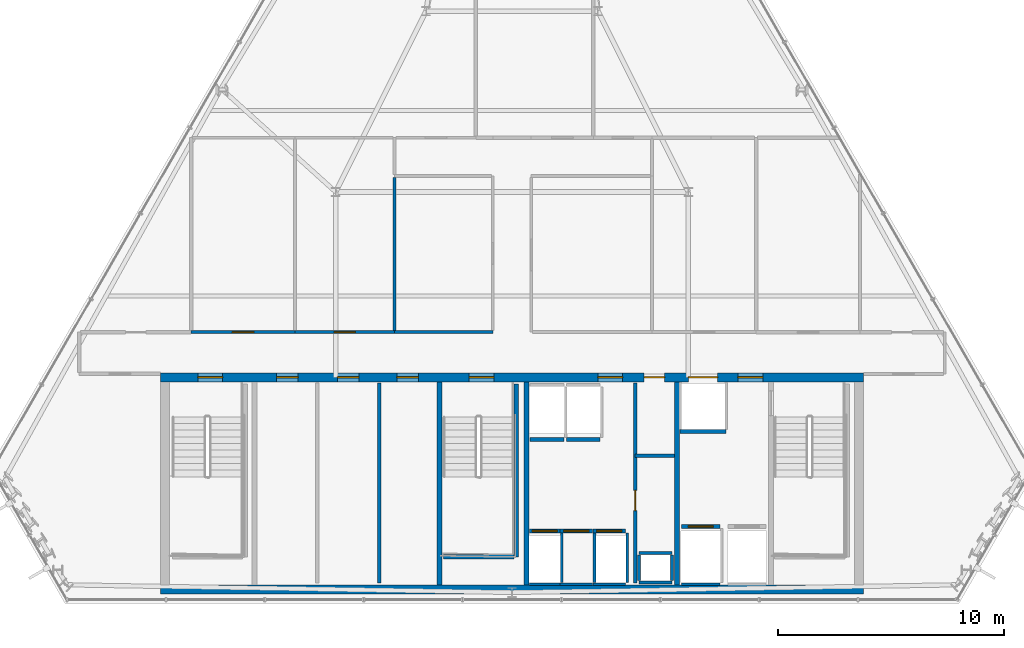
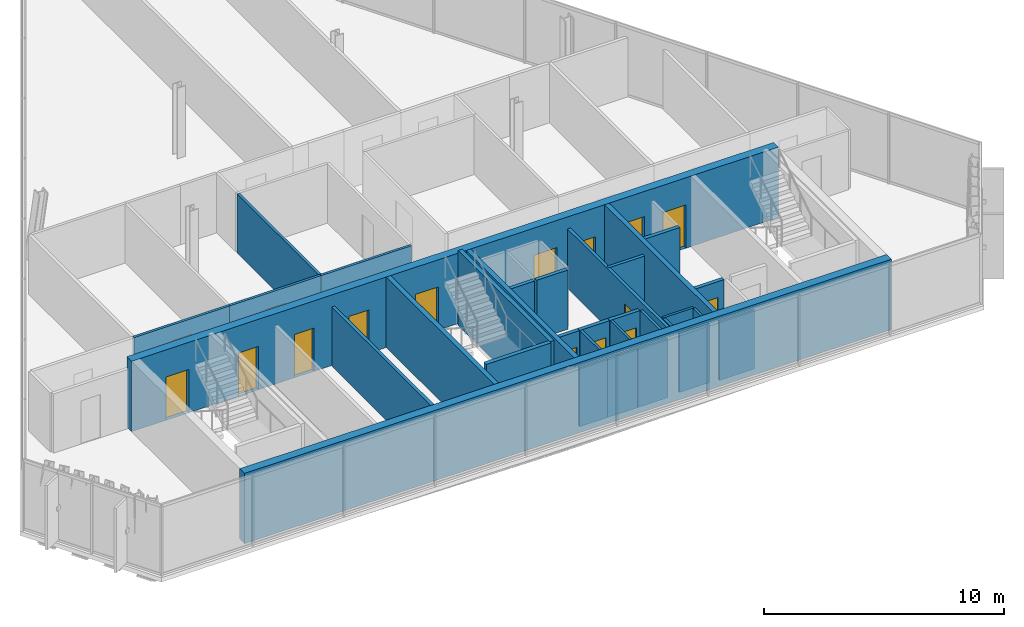
# One storey, part 24 of 29: 32 walls, 16 doors, 16 openings.
"""IFC4 building model written with IfcOpenShell, lengths in metres."""

from ifc_helpers import new_model, si_unit, direction, frame, frame_2d, origin, place, context, subcontext, project, spatial, rectangle, extrude, material, layer, layer_set, type_object, element, fill, save


model = new_model("IFC4")

# Units and contexts
model_context = context("Model", 3, precision=1e-05, world=origin(), true_north=direction((0.0, 1.0)))
body_context = subcontext(model_context, "Body", "Model", "MODEL_VIEW")
ifc_project = project(units=[si_unit("LENGTHUNIT", "METRE"), si_unit("AREAUNIT", "SQUARE_METRE"), si_unit("VOLUMEUNIT", "CUBIC_METRE"), si_unit("PLANEANGLEUNIT", "RADIAN"), si_unit("MASSUNIT", "GRAM", prefix="KILO")], contexts=[model_context])

# Site, building, storey
site_placement = place(None, origin())
site = spatial("IfcSite", under=ifc_project, at=site_placement, CompositionType="ELEMENT")
building_placement = place(site_placement, origin())
building = spatial("IfcBuilding", under=site, at=building_placement, Name="Ndaravel Arena Tower", CompositionType="ELEMENT")
storey_placement = place(building_placement, frame((0.0, 0.0, 248.39990234375)))
storey = spatial("IfcBuildingStorey", under=building, at=storey_placement, Name="L60", CompositionType="ELEMENT", Elevation=248.39990234375)

# Wall, opening, door
ifc_material_1 = material(Name="Gypsum", Category="gypsum")
ifc_layer_1 = layer(ifc_material_1, 0.14990234375)
ifc_layer_set_1 = layer_set([ifc_layer_1], Name="Gypsum")
wall_type_1 = type_object("IfcWallType", Name="WALL-COMP-150", PredefinedType="PARTITIONING", material=ifc_layer_set_1)
wall_1_placement = place(storey_placement, frame((47.449951171875, 5.89990234375, 0.0), z_axis=(0.0, 0.0, 1.0), x_axis=(0.0, 1.0, 0.0)))
wall_1 = element("IfcWall", 1, at=wall_1_placement, inside=storey, type_object=wall_type_1, Name="L60 Core Riser Bay Partition", PredefinedType="PARTITIONING", context=body_context, shape_type="SweptSolid", body=[
    extrude(rectangle(XDim=8.85009765625, YDim=0.14990234375, at=frame_2d((4.425048828125, 0.0))), origin(), (0.0, 0.0, 1.0), 3.010498046875),
])
opening_1_placement = place(wall_1_placement, frame((3.199951171875, 0.0, 0.0)))
opening_1 = element("IfcOpeningElement", 2, at=opening_1_placement, cuts=wall_1, Name="Opening RD-01", PredefinedType="OPENING", context=body_context, shape_type="SweptSolid", body=[
    extrude(rectangle(XDim=0.89990234375, YDim=2.10009765625, at=frame_2d((0.449951171875, 1.050048828125))), frame((0.0, 0.074951171875, 0.0), z_axis=(0.0, -1.0, 0.0), x_axis=(1.0, 0.0, 0.0)), (0.0, 0.0, 1.0), 0.14990234375),
])
ifc_material_2 = material(Name="Steel S355", Category="steel")
door_type_1 = type_object("IfcDoorType", Name="DT-08-RISER-900", OperationType="SINGLE_SWING_LEFT", PredefinedType="DOOR", material=ifc_material_2)
door_1_placement = place(opening_1_placement, origin())
door_1 = element("IfcDoor", 3, at=door_1_placement, inside=storey, type_object=door_type_1, Name="L60 Sub-Metering Closet Door", OperationType="SINGLE_SWING_LEFT", OverallHeight=2.10009765625, OverallWidth=0.89990234375, PredefinedType="DOOR", context=body_context, shape_type="SweptSolid", body=[
    extrude(rectangle(XDim=0.89990234375, YDim=2.10009765625, at=frame_2d((0.449951171875, 1.050048828125))), frame((0.0, 0.02490234375, 0.0), z_axis=(0.0, -1.0, 0.0), x_axis=(1.0, 0.0, 0.0)), (0.0, 0.0, 1.0), 0.050048828125),
])
fill(opening_1, door_1)

# Walls
wall_2_placement = place(storey_placement, frame((47.449951171875, 11.52001953125, 0.0), z_axis=(0.0, 0.0, 1.0), x_axis=(1.0, 0.0, 0.0)))
element("IfcWall", 4, at=wall_2_placement, inside=storey, type_object=wall_type_1, Name="L60 Core Riser Divider 1", PredefinedType="PARTITIONING", context=body_context, shape_type="SweptSolid", body=[
    extrude(rectangle(XDim=1.72998046875, YDim=0.14990234375, at=frame_2d((0.864990234375, 0.0))), origin(), (0.0, 0.0, 1.0), 3.010498046875),
])
wall_3_placement = place(storey_placement, frame((36.1201171875, 5.89990234375, 0.0), z_axis=(0.0, 0.0, 1.0), x_axis=(0.0, 1.0, 0.0)))
element("IfcWall", 5, at=wall_3_placement, inside=storey, type_object=wall_type_1, Name="L60 High-Zone Core Divider 2", PredefinedType="PARTITIONING", context=body_context, shape_type="SweptSolid", body=[
    extrude(rectangle(XDim=8.85009765625, YDim=0.14990234375, at=frame_2d((4.425048828125, 0.0))), origin(), (0.0, 0.0, 1.0), 3.010498046875),
])
ifc_material_3 = material(Name="Concrete C50/60", Category="concrete")
ifc_layer_2 = layer(ifc_material_3, 0.219970703125)
ifc_layer_set_2 = layer_set([ifc_layer_2], Name="Concrete C50/60")
wall_type_2 = type_object("IfcWallType", Name="WALL-CORE-220", PredefinedType="SOLIDWALL", material=ifc_layer_set_2)
for number, where, z_axis, x_axis, name in (
    (6, (38.800048828125, 5.800048828125, 0.0), (0.0, 0.0, 1.0), (0.0, 1.0, 0.0), "L60 Core Web Shear Wall 2"),
    (7, (42.64990234375, 5.800048828125, 0.0), (0.0, 0.0, 1.0), (0.0, 1.0, 0.0), "L60 Core Web Shear Wall 3"),
    (8, (49.300048828125, 5.800048828125, 0.0), (0.0, 0.0, 1.0), (0.0, 1.0, 0.0), "L60 Core Web Shear Wall 4"),
):
    element("IfcWall", number, at=place(storey_placement, frame(where, z_axis=z_axis, x_axis=x_axis)), inside=storey, type_object=wall_type_2, Name=name, PredefinedType="SOLIDWALL", context=body_context, shape_type="SweptSolid", body=[
        extrude(rectangle(XDim=9.0, YDim=0.219970703125, at=frame_2d((4.5, 0.0))), origin(), (0.0, 0.0, 1.0), 3.580078125),
    ])

# Wall, openings, doors
ifc_material_4 = material(Name="Concrete C50/60", Category="concrete")
ifc_layer_3 = layer(ifc_material_4, 0.39990234375)
ifc_layer_set_3 = layer_set([ifc_layer_3], Name="Concrete C50/60")
wall_type_3 = type_object("IfcWallType", Name="WALL-CORE-400", PredefinedType="SOLIDWALL", material=ifc_layer_set_3)
wall_4_placement = place(storey_placement, frame((26.449951171875, 15.0, 0.0), z_axis=(0.0, 0.0, 1.0), x_axis=(1.0, 0.0, 0.0)))
wall_4 = element("IfcWall", 9, at=wall_4_placement, inside=storey, type_object=wall_type_3, Name="L60 Core North Shear Wall", PredefinedType="SOLIDWALL", context=body_context, shape_type="SweptSolid", body=[
    extrude(rectangle(XDim=31.10009765625, YDim=0.39990234375, at=frame_2d((15.550048828125, 0.0))), origin(), (0.0, 0.0, 1.0), 3.580078125),
])
opening_2_placement = place(wall_4_placement, frame((1.64990234375, 0.0, 0.0)))
opening_2 = element("IfcOpeningElement", 10, at=opening_2_placement, cuts=wall_4, Name="Opening FD-01", PredefinedType="OPENING", context=body_context, shape_type="SweptSolid", body=[
    extrude(rectangle(XDim=1.10009765625, YDim=2.199951171875, at=frame_2d((0.550048828125, 1.10009765625))), frame((0.0, 0.199951171875, 0.0), z_axis=(0.0, -1.0, 0.0), x_axis=(1.0, 0.0, 0.0)), (0.0, 0.0, 1.0), 0.39990234375),
])
opening_3_placement = place(wall_4_placement, frame((13.64990234375, 0.0, 0.0)))
opening_3 = element("IfcOpeningElement", 11, at=opening_3_placement, cuts=wall_4, Name="Opening FD-01", PredefinedType="OPENING", context=body_context, shape_type="SweptSolid", body=[
    extrude(rectangle(XDim=1.10009765625, YDim=2.199951171875, at=frame_2d((0.550048828125, 1.10009765625))), frame((0.0, 0.199951171875, 0.0), z_axis=(0.0, -1.0, 0.0), x_axis=(1.0, 0.0, 0.0)), (0.0, 0.0, 1.0), 0.39990234375),
])
opening_4_placement = place(wall_4_placement, frame((25.550048828125, 0.0, 0.0)))
opening_4 = element("IfcOpeningElement", 12, at=opening_4_placement, cuts=wall_4, Name="Opening FD-01", PredefinedType="OPENING", context=body_context, shape_type="SweptSolid", body=[
    extrude(rectangle(XDim=1.10009765625, YDim=2.199951171875, at=frame_2d((0.550048828125, 1.10009765625))), frame((0.0, 0.199951171875, 0.0), z_axis=(0.0, -1.0, 0.0), x_axis=(1.0, 0.0, 0.0)), (0.0, 0.0, 1.0), 0.39990234375),
])
opening_5_placement = place(wall_4_placement, frame((19.35009765625, 0.0, 0.0)))
opening_5 = element("IfcOpeningElement", 13, at=opening_5_placement, cuts=wall_4, Name="Opening FD-01", PredefinedType="OPENING", context=body_context, shape_type="SweptSolid", body=[
    extrude(rectangle(XDim=1.10009765625, YDim=2.199951171875, at=frame_2d((0.550048828125, 1.10009765625))), frame((0.0, 0.199951171875, 0.0), z_axis=(0.0, -1.0, 0.0), x_axis=(1.0, 0.0, 0.0)), (0.0, 0.0, 1.0), 0.39990234375),
])
opening_6_placement = place(wall_4_placement, frame((21.39990234375, 0.0, 0.0)))
opening_6 = element("IfcOpeningElement", 14, at=opening_6_placement, cuts=wall_4, Name="Opening RD-01", PredefinedType="OPENING", context=body_context, shape_type="SweptSolid", body=[
    extrude(rectangle(XDim=0.89990234375, YDim=2.10009765625, at=frame_2d((0.449951171875, 1.050048828125))), frame((0.0, 0.199951171875, 0.0), z_axis=(0.0, -1.0, 0.0), x_axis=(1.0, 0.0, 0.0)), (0.0, 0.0, 1.0), 0.39990234375),
])
opening_7_placement = place(wall_4_placement, frame((5.139892578125, 0.0, 0.0)))
opening_7 = element("IfcOpeningElement", 15, at=opening_7_placement, cuts=wall_4, Name="Opening FD-03", PredefinedType="OPENING", context=body_context, shape_type="SweptSolid", body=[
    extrude(rectangle(XDim=0.949951171875, YDim=2.199951171875, at=frame_2d((0.47509765625, 1.10009765625))), frame((0.0, 0.199951171875, 0.0), z_axis=(0.0, -1.0, 0.0), x_axis=(1.0, 0.0, 0.0)), (0.0, 0.0, 1.0), 0.39990234375),
])
opening_8_placement = place(wall_4_placement, frame((7.824951171875, 0.0, 0.0)))
opening_8 = element("IfcOpeningElement", 16, at=opening_8_placement, cuts=wall_4, Name="Opening FD-03", PredefinedType="OPENING", context=body_context, shape_type="SweptSolid", body=[
    extrude(rectangle(XDim=0.949951171875, YDim=2.199951171875, at=frame_2d((0.47509765625, 1.10009765625))), frame((0.0, 0.199951171875, 0.0), z_axis=(0.0, -1.0, 0.0), x_axis=(1.0, 0.0, 0.0)), (0.0, 0.0, 1.0), 0.39990234375),
])
opening_9_placement = place(wall_4_placement, frame((10.4599609375, 0.0, 0.0)))
opening_9 = element("IfcOpeningElement", 17, at=opening_9_placement, cuts=wall_4, Name="Opening FD-03", PredefinedType="OPENING", context=body_context, shape_type="SweptSolid", body=[
    extrude(rectangle(XDim=0.949951171875, YDim=2.199951171875, at=frame_2d((0.47509765625, 1.10009765625))), frame((0.0, 0.199951171875, 0.0), z_axis=(0.0, -1.0, 0.0), x_axis=(1.0, 0.0, 0.0)), (0.0, 0.0, 1.0), 0.39990234375),
])
opening_10_placement = place(wall_4_placement, frame((23.35009765625, 0.0, 0.0)))
opening_10 = element("IfcOpeningElement", 18, at=opening_10_placement, cuts=wall_4, Name="Opening LD-02", PredefinedType="OPENING", context=body_context, shape_type="SweptSolid", body=[
    extrude(rectangle(XDim=1.300048828125, YDim=2.300048828125, at=frame_2d((0.64990234375, 1.14990234375))), frame((0.0, 0.199951171875, 0.0), z_axis=(0.0, -1.0, 0.0), x_axis=(1.0, 0.0, 0.0)), (0.0, 0.0, 1.0), 0.39990234375),
])
ifc_material_5 = material(Name="Steel S355", Category="steel")
door_type_2 = type_object("IfcDoorType", Name="DT-01-STAIR-1100", OperationType="SINGLE_SWING_LEFT", PredefinedType="DOOR", material=ifc_material_5)
door_2_placement = place(opening_2_placement, origin())
door_2 = element("IfcDoor", 19, at=door_2_placement, inside=storey, type_object=door_type_2, Name="L60 Exit Stair ST-1 Door", OperationType="SINGLE_SWING_LEFT", OverallHeight=2.199951171875, OverallWidth=1.10009765625, PredefinedType="DOOR", context=body_context, shape_type="SweptSolid", body=[
    extrude(rectangle(XDim=1.10009765625, YDim=2.199951171875, at=frame_2d((0.550048828125, 1.10009765625))), frame((0.0, 0.02490234375, 0.0), z_axis=(0.0, -1.0, 0.0), x_axis=(1.0, 0.0, 0.0)), (0.0, 0.0, 1.0), 0.050048828125),
])
fill(opening_2, door_2)
door_3_placement = place(opening_3_placement, origin())
door_3 = element("IfcDoor", 20, at=door_3_placement, inside=storey, type_object=door_type_2, Name="L60 Exit Stair ST-2 Door", OperationType="SINGLE_SWING_RIGHT", OverallHeight=2.199951171875, OverallWidth=1.10009765625, PredefinedType="DOOR", context=body_context, shape_type="SweptSolid", body=[
    extrude(rectangle(XDim=1.10009765625, YDim=2.199951171875, at=frame_2d((0.550048828125, 1.10009765625))), frame((0.0, 0.02490234375, 0.0), z_axis=(0.0, -1.0, 0.0), x_axis=(1.0, 0.0, 0.0)), (0.0, 0.0, 1.0), 0.050048828125),
])
fill(opening_3, door_3)
door_4_placement = place(opening_4_placement, origin())
door_4 = element("IfcDoor", 21, at=door_4_placement, inside=storey, type_object=door_type_2, Name="L60 Firefighting Lift Lobby Door", OperationType="SINGLE_SWING_RIGHT", OverallHeight=2.199951171875, OverallWidth=1.10009765625, PredefinedType="DOOR", context=body_context, shape_type="SweptSolid", body=[
    extrude(rectangle(XDim=1.10009765625, YDim=2.199951171875, at=frame_2d((0.550048828125, 1.10009765625))), frame((0.0, 0.02490234375, 0.0), z_axis=(0.0, -1.0, 0.0), x_axis=(1.0, 0.0, 0.0)), (0.0, 0.0, 1.0), 0.050048828125),
])
fill(opening_4, door_4)
door_5_placement = place(opening_5_placement, origin())
door_5 = element("IfcDoor", 22, at=door_5_placement, inside=storey, type_object=door_type_2, Name="L60 Express Lift Lobby Entry Door", OperationType="SINGLE_SWING_LEFT", OverallHeight=2.199951171875, OverallWidth=1.10009765625, PredefinedType="DOOR", context=body_context, shape_type="SweptSolid", body=[
    extrude(rectangle(XDim=1.10009765625, YDim=2.199951171875, at=frame_2d((0.550048828125, 1.10009765625))), frame((0.0, 0.02490234375, 0.0), z_axis=(0.0, -1.0, 0.0), x_axis=(1.0, 0.0, 0.0)), (0.0, 0.0, 1.0), 0.050048828125),
])
fill(opening_5, door_5)
ifc_material_6 = material(Name="Steel S355", Category="steel")
door_type_3 = type_object("IfcDoorType", Name="DT-07-SVLIFT-1300", OperationType="DOUBLE_DOOR_SLIDING", PredefinedType="DOOR", material=ifc_material_6)
door_6_placement = place(opening_10_placement, origin())
door_6 = element("IfcDoor", 23, at=door_6_placement, inside=storey, type_object=door_type_3, Name="L60 Lift SVL-1 Sliding Landing Door", OperationType="DOUBLE_DOOR_SLIDING", OverallHeight=2.300048828125, OverallWidth=1.300048828125, PredefinedType="DOOR", context=body_context, shape_type="SweptSolid", body=[
    extrude(rectangle(XDim=1.300048828125, YDim=2.300048828125, at=frame_2d((0.64990234375, 1.14990234375))), frame((0.0, 0.02490234375, 0.0), z_axis=(0.0, -1.0, 0.0), x_axis=(1.0, 0.0, 0.0)), (0.0, 0.0, 1.0), 0.050048828125),
])
fill(opening_10, door_6)
door_7_placement = place(opening_6_placement, origin())
door_7 = element("IfcDoor", 24, at=door_7_placement, inside=storey, type_object=door_type_1, Name="L60 Core Service Riser North Door", OperationType="SINGLE_SWING_LEFT", OverallHeight=2.10009765625, OverallWidth=0.89990234375, PredefinedType="DOOR", context=body_context, shape_type="SweptSolid", body=[
    extrude(rectangle(XDim=0.89990234375, YDim=2.10009765625, at=frame_2d((0.449951171875, 1.050048828125))), frame((0.0, 0.02490234375, 0.0), z_axis=(0.0, -1.0, 0.0), x_axis=(1.0, 0.0, 0.0)), (0.0, 0.0, 1.0), 0.050048828125),
])
fill(opening_6, door_7)
ifc_material_7 = material(Name="Steel S355", Category="steel")
door_type_4 = type_object("IfcDoorType", Name="DT-11-CORE-950", OperationType="SINGLE_SWING_LEFT", PredefinedType="DOOR", material=ifc_material_7)
door_8_placement = place(opening_7_placement, origin())
door_8 = element("IfcDoor", 25, at=door_8_placement, inside=storey, type_object=door_type_4, Name="L60 High-Zone Reclaimed Core Room 1 Door", OperationType="SINGLE_SWING_LEFT", OverallHeight=2.199951171875, OverallWidth=0.949951171875, PredefinedType="DOOR", context=body_context, shape_type="SweptSolid", body=[
    extrude(rectangle(XDim=0.949951171875, YDim=2.199951171875, at=frame_2d((0.47509765625, 1.10009765625))), frame((0.0, 0.02490234375, 0.0), z_axis=(0.0, -1.0, 0.0), x_axis=(1.0, 0.0, 0.0)), (0.0, 0.0, 1.0), 0.050048828125),
])
fill(opening_7, door_8)
door_9_placement = place(opening_8_placement, origin())
door_9 = element("IfcDoor", 26, at=door_9_placement, inside=storey, type_object=door_type_4, Name="L60 High-Zone Reclaimed Core Room 2 Door", OperationType="SINGLE_SWING_RIGHT", OverallHeight=2.199951171875, OverallWidth=0.949951171875, PredefinedType="DOOR", context=body_context, shape_type="SweptSolid", body=[
    extrude(rectangle(XDim=0.949951171875, YDim=2.199951171875, at=frame_2d((0.47509765625, 1.10009765625))), frame((0.0, 0.02490234375, 0.0), z_axis=(0.0, -1.0, 0.0), x_axis=(1.0, 0.0, 0.0)), (0.0, 0.0, 1.0), 0.050048828125),
])
fill(opening_8, door_9)
door_10_placement = place(opening_9_placement, origin())
door_10 = element("IfcDoor", 27, at=door_10_placement, inside=storey, type_object=door_type_4, Name="L60 High-Zone Reclaimed Core Room 3 Door", OperationType="SINGLE_SWING_LEFT", OverallHeight=2.199951171875, OverallWidth=0.949951171875, PredefinedType="DOOR", context=body_context, shape_type="SweptSolid", body=[
    extrude(rectangle(XDim=0.949951171875, YDim=2.199951171875, at=frame_2d((0.47509765625, 1.10009765625))), frame((0.0, 0.02490234375, 0.0), z_axis=(0.0, -1.0, 0.0), x_axis=(1.0, 0.0, 0.0)), (0.0, 0.0, 1.0), 0.050048828125),
])
fill(opening_9, door_10)

# Wall
wall_5_placement = place(storey_placement, frame((26.449951171875, 5.60009765625, 0.0), z_axis=(0.0, 0.0, 1.0), x_axis=(1.0, 0.0, 0.0)))
element("IfcWall", 28, at=wall_5_placement, inside=storey, type_object=wall_type_3, Name="L60 Core South Shear Wall", PredefinedType="SOLIDWALL", context=body_context, shape_type="SweptSolid", body=[
    extrude(rectangle(XDim=31.10009765625, YDim=0.39990234375, at=frame_2d((15.550048828125, 0.0))), origin(), (0.0, 0.0, 1.0), 3.580078125),
])

# Wall, opening, door
ifc_material_8 = material(Name="Gypsum", Category="gypsum")
ifc_layer_4 = layer(ifc_material_8, 0.125)
ifc_layer_set_4 = layer_set([ifc_layer_4], Name="Gypsum")
wall_type_4 = type_object("IfcWallType", Name="WALL-PART-125", PredefinedType="PARTITIONING", material=ifc_layer_set_4)
wall_6_placement = place(storey_placement, frame((27.800048828125, 17.0, 0.0), z_axis=(0.0, 0.0, 1.0), x_axis=(1.0, 0.0, 0.0)))
wall_6 = element("IfcWall", 29, at=wall_6_placement, inside=storey, type_object=wall_type_4, Name="L60 Interior Partition 006", PredefinedType="PARTITIONING", context=body_context, shape_type="SweptSolid", body=[
    extrude(rectangle(XDim=4.599853515625, YDim=0.125, at=frame_2d((2.2998046875, 0.0))), origin(), (0.0, 0.0, 1.0), 3.010498046875),
])
opening_11_placement = place(wall_6_placement, frame((1.824951171875, 0.0, 0.0)))
opening_11 = element("IfcOpeningElement", 30, at=opening_11_placement, cuts=wall_6, Name="Opening ID-01", PredefinedType="OPENING", context=body_context, shape_type="SweptSolid", body=[
    extrude(rectangle(XDim=0.949951171875, YDim=2.199951171875, at=frame_2d((0.47509765625, 1.10009765625))), frame((0.0, 0.0625, 0.0), z_axis=(0.0, -1.0, 0.0), x_axis=(1.0, 0.0, 0.0)), (0.0, 0.0, 1.0), 0.125),
])
ifc_material_9 = material(Name="Timber", Category="wood")
door_type_5 = type_object("IfcDoorType", Name="DT-03-OFFICE-950", OperationType="SINGLE_SWING_LEFT", PredefinedType="DOOR", material=ifc_material_9)
door_11_placement = place(opening_11_placement, origin())
door_11 = element("IfcDoor", 31, at=door_11_placement, inside=storey, type_object=door_type_5, Name="L60 Barista Galley 3 Door", OperationType="SINGLE_SWING_RIGHT", OverallHeight=2.199951171875, OverallWidth=0.949951171875, PredefinedType="DOOR", context=body_context, shape_type="SweptSolid", body=[
    extrude(rectangle(XDim=0.949951171875, YDim=2.199951171875, at=frame_2d((0.47509765625, 1.10009765625))), frame((0.0, 0.02490234375, 0.0), z_axis=(0.0, -1.0, 0.0), x_axis=(1.0, 0.0, 0.0)), (0.0, 0.0, 1.0), 0.050048828125),
])
fill(opening_11, door_11)

wall_7_placement = place(storey_placement, frame((32.39990234375, 17.0, 0.0), z_axis=(0.0, 0.0, 1.0), x_axis=(1.0, 0.0, 0.0)))
wall_7 = element("IfcWall", 32, at=wall_7_placement, inside=storey, type_object=wall_type_4, Name="L60 Interior Partition 007", PredefinedType="PARTITIONING", context=body_context, shape_type="SweptSolid", body=[
    extrude(rectangle(XDim=4.400146484375, YDim=0.125, at=frame_2d((2.2001953125, 0.0))), origin(), (0.0, 0.0, 1.0), 3.010498046875),
])
opening_12_placement = place(wall_7_placement, frame((1.72509765625, 0.0, 0.0)))
opening_12 = element("IfcOpeningElement", 33, at=opening_12_placement, cuts=wall_7, Name="Opening ID-01", PredefinedType="OPENING", context=body_context, shape_type="SweptSolid", body=[
    extrude(rectangle(XDim=0.949951171875, YDim=2.199951171875, at=frame_2d((0.47509765625, 1.10009765625))), frame((0.0, 0.0625, 0.0), z_axis=(0.0, -1.0, 0.0), x_axis=(1.0, 0.0, 0.0)), (0.0, 0.0, 1.0), 0.125),
])
door_12_placement = place(opening_12_placement, origin())
door_12 = element("IfcDoor", 34, at=door_12_placement, inside=storey, type_object=door_type_5, Name="L60 Wellness Fitness Gym 2 Door", OperationType="SINGLE_SWING_LEFT", OverallHeight=2.199951171875, OverallWidth=0.949951171875, PredefinedType="DOOR", context=body_context, shape_type="SweptSolid", body=[
    extrude(rectangle(XDim=0.949951171875, YDim=2.199951171875, at=frame_2d((0.47509765625, 1.10009765625))), frame((0.0, 0.02490234375, 0.0), z_axis=(0.0, -1.0, 0.0), x_axis=(1.0, 0.0, 0.0)), (0.0, 0.0, 1.0), 0.050048828125),
])
fill(opening_12, door_12)

# Walls
wall_8_placement = place(storey_placement, frame((36.800048828125, 17.0, 0.0), z_axis=(0.0, 0.0, 1.0), x_axis=(1.0, 0.0, 0.0)))
element("IfcWall", 35, at=wall_8_placement, inside=storey, type_object=wall_type_4, Name="L60 Interior Partition 008", PredefinedType="PARTITIONING", context=body_context, shape_type="SweptSolid", body=[
    extrude(rectangle(XDim=4.349853515625, YDim=0.125, at=frame_2d((2.1748046875, 0.0))), origin(), (0.0, 0.0, 1.0), 3.010498046875),
])
wall_9_placement = place(storey_placement, frame((36.800048828125, 17.06494140625, 0.0), z_axis=(0.0, 0.0, 1.0), x_axis=(0.0, 1.0, 0.0)))
element("IfcWall", 36, at=wall_9_placement, inside=storey, type_object=wall_type_4, Name="L60 Interior Partition 026", PredefinedType="PARTITIONING", context=body_context, shape_type="SweptSolid", body=[
    extrude(rectangle(XDim=6.77001953125, YDim=0.125, at=frame_2d((3.385009765625, 0.0))), origin(), (0.0, 0.0, 1.0), 3.010498046875),
])
ifc_material_10 = material(Name="Concrete C40/50", Category="concrete")
ifc_layer_5 = layer(ifc_material_10, 0.1201171875)
ifc_layer_set_5 = layer_set([ifc_layer_5], Name="Concrete C40/50")
wall_type_5 = type_object("IfcWallType", Name="WALL-SHAFT-120", PredefinedType="SOLIDWALL", material=ifc_layer_set_5)
for number, where, z_axis, x_axis, name in (
    (37, (47.6201171875, 5.919921875, 0.0), (0.0, 0.0, 1.0), (1.0, 0.0, 0.0), "L60 MEP Riser Shaft S Wall"),
    (38, (47.6201171875, 7.219970703125, 0.0), (0.0, 0.0, 1.0), (1.0, 0.0, 0.0), "L60 MEP Riser Shaft N Wall"),
):
    element("IfcWall", number, at=place(storey_placement, frame(where, z_axis=z_axis, x_axis=x_axis)), inside=storey, type_object=wall_type_5, Name=name, PredefinedType="SOLIDWALL", context=body_context, shape_type="SweptSolid", body=[
        extrude(rectangle(XDim=1.4599609375, YDim=0.1201171875, at=frame_2d((0.72998046875, 0.0))), origin(), (0.0, 0.0, 1.0), 3.010498046875),
    ])
for number, where, z_axis, x_axis, name in (
    (39, (47.6201171875, 6.0, 0.0), (0.0, 0.0, 1.0), (0.0, 1.0, 0.0), "L60 MEP Riser Shaft W Wall"),
    (40, (49.080078125, 6.0, 0.0), (0.0, 0.0, 1.0), (0.0, 1.0, 0.0), "L60 MEP Riser Shaft E Wall"),
):
    element("IfcWall", number, at=place(storey_placement, frame(where, z_axis=z_axis, x_axis=x_axis)), inside=storey, type_object=wall_type_5, Name=name, PredefinedType="SOLIDWALL", context=body_context, shape_type="SweptSolid", body=[
        extrude(rectangle(XDim=1.139892578125, YDim=0.1201171875, at=frame_2d((0.56982421875, 0.0))), origin(), (0.0, 0.0, 1.0), 3.010498046875),
    ])
wall_10_placement = place(storey_placement, frame((42.780029296875, 5.840087890625, 0.0), z_axis=(0.0, 0.0, 1.0), x_axis=(1.0, 0.0, 0.0)))
element("IfcWall", 41, at=wall_10_placement, inside=storey, type_object=wall_type_5, Name="L60 PL-H1 Shaft Rear Wall", PredefinedType="SOLIDWALL", context=body_context, shape_type="SweptSolid", body=[
    extrude(rectangle(XDim=1.340087890625, YDim=0.1201171875, at=frame_2d((0.669921875, 0.0))), origin(), (0.0, 0.0, 1.0), 3.010498046875),
])
wall_11_placement = place(storey_placement, frame((44.199951171875, 5.929931640625, 0.0), z_axis=(0.0, 0.0, 1.0), x_axis=(0.0, 1.0, 0.0)))
element("IfcWall", 42, at=wall_11_placement, inside=storey, type_object=wall_type_5, Name="L60 PL-H1 Shaft Side R Wall", PredefinedType="SOLIDWALL", context=body_context, shape_type="SweptSolid", body=[
    extrude(rectangle(XDim=2.18017578125, YDim=0.1201171875, at=frame_2d((1.090087890625, 0.0))), origin(), (0.0, 0.0, 1.0), 3.010498046875),
])
wall_12_placement = place(storey_placement, frame((44.1298828125, 5.840087890625, 0.0), z_axis=(0.0, 0.0, 1.0), x_axis=(1.0, 0.0, 0.0)))
element("IfcWall", 43, at=wall_12_placement, inside=storey, type_object=wall_type_5, Name="L60 PL-H2 Shaft Rear Wall", PredefinedType="SOLIDWALL", context=body_context, shape_type="SweptSolid", body=[
    extrude(rectangle(XDim=1.440185546875, YDim=0.1201171875, at=frame_2d((0.72021484375, 0.0))), origin(), (0.0, 0.0, 1.0), 3.010498046875),
])
wall_13_placement = place(storey_placement, frame((45.64990234375, 5.929931640625, 0.0), z_axis=(0.0, 0.0, 1.0), x_axis=(0.0, 1.0, 0.0)))
element("IfcWall", 44, at=wall_13_placement, inside=storey, type_object=wall_type_5, Name="L60 PL-H2 Shaft Side R Wall", PredefinedType="SOLIDWALL", context=body_context, shape_type="SweptSolid", body=[
    extrude(rectangle(XDim=2.18017578125, YDim=0.1201171875, at=frame_2d((1.090087890625, 0.0))), origin(), (0.0, 0.0, 1.0), 3.010498046875),
])
wall_14_placement = place(storey_placement, frame((45.580078125, 5.840087890625, 0.0), z_axis=(0.0, 0.0, 1.0), x_axis=(1.0, 0.0, 0.0)))
element("IfcWall", 45, at=wall_14_placement, inside=storey, type_object=wall_type_5, Name="L60 PL-H3 Shaft Rear Wall", PredefinedType="SOLIDWALL", context=body_context, shape_type="SweptSolid", body=[
    extrude(rectangle(XDim=1.43994140625, YDim=0.1201171875, at=frame_2d((0.719970703125, 0.0))), origin(), (0.0, 0.0, 1.0), 3.010498046875),
])
wall_15_placement = place(storey_placement, frame((47.10009765625, 5.929931640625, 0.0), z_axis=(0.0, 0.0, 1.0), x_axis=(0.0, 1.0, 0.0)))
element("IfcWall", 46, at=wall_15_placement, inside=storey, type_object=wall_type_5, Name="L60 PL-H3 Shaft Side R Wall", PredefinedType="SOLIDWALL", context=body_context, shape_type="SweptSolid", body=[
    extrude(rectangle(XDim=2.18017578125, YDim=0.1201171875, at=frame_2d((1.090087890625, 0.0))), origin(), (0.0, 0.0, 1.0), 3.010498046875),
])
wall_16_placement = place(storey_placement, frame((49.5048828125, 5.840087890625, 0.0), z_axis=(0.0, 0.0, 1.0), x_axis=(1.0, 0.0, 0.0)))
element("IfcWall", 47, at=wall_16_placement, inside=storey, type_object=wall_type_5, Name="L60 FFL-1 Shaft Rear Wall", PredefinedType="SOLIDWALL", context=body_context, shape_type="SweptSolid", body=[
    extrude(rectangle(XDim=1.690185546875, YDim=0.1201171875, at=frame_2d((0.84521484375, 0.0))), origin(), (0.0, 0.0, 1.0), 3.010498046875),
])
ifc_material_11 = material(Name="Concrete C40/50", Category="concrete")
ifc_layer_6 = layer(ifc_material_11, 0.199951171875)
ifc_layer_set_6 = layer_set([ifc_layer_6], Name="Concrete C40/50")
wall_type_6 = type_object("IfcWallType", Name="WALL-SHAFT-200", PredefinedType="SOLIDWALL", material=ifc_layer_set_6)
wall_17_placement = place(storey_placement, frame((42.18994140625, 14.699951171875, 0.0), z_axis=(0.0, 0.0, 1.0), x_axis=(0.0, -1.0, 0.0)))
element("IfcWall", 48, at=wall_17_placement, inside=storey, type_object=wall_type_6, Name="L60 ST-2 Structural Shaft Wall Right", PredefinedType="SOLIDWALL", context=body_context, shape_type="SweptSolid", body=[
    extrude(rectangle(XDim=7.64990234375, YDim=0.199951171875, at=frame_2d((3.824951171875, 0.0))), origin(), (0.0, 0.0, 1.0), 3.800048828125),
])
wall_18_placement = place(storey_placement, frame((38.969970703125, 7.050048828125, 0.0), z_axis=(0.0, 0.0, 1.0), x_axis=(1.0, 0.0, 0.0)))
element("IfcWall", 49, at=wall_18_placement, inside=storey, type_object=wall_type_6, Name="L60 ST-2 Structural Shaft Wall Far", PredefinedType="SOLIDWALL", context=body_context, shape_type="SweptSolid", body=[
    extrude(rectangle(XDim=3.114990234375, YDim=0.199951171875, at=frame_2d((1.5576171875, 0.0))), origin(), (0.0, 0.0, 1.0), 3.800048828125),
])

# Wall, opening, door
wall_19_placement = place(storey_placement, frame((42.780029296875, 8.199951171875, 0.0), z_axis=(0.0, 0.0, 1.0), x_axis=(1.0, 0.0, 0.0)))
wall_19 = element("IfcWall", 50, at=wall_19_placement, inside=storey, type_object=wall_type_6, Name="L60 PL-H1 Shaft Landing Wall", PredefinedType="SOLIDWALL", context=body_context, shape_type="SweptSolid", body=[
    extrude(rectangle(XDim=1.340087890625, YDim=0.179931640625, at=frame_2d((0.669921875, 0.0))), origin(), (0.0, 0.0, 1.0), 3.010498046875),
])
opening_13_placement = place(wall_19_placement, frame((0.1201171875, 0.0, 0.0)))
opening_13 = element("IfcOpeningElement", 51, at=opening_13_placement, cuts=wall_19, Name="Opening LD-01", PredefinedType="OPENING", context=body_context, shape_type="SweptSolid", body=[
    extrude(rectangle(XDim=1.10009765625, YDim=2.199951171875, at=frame_2d((0.550048828125, 1.10009765625))), frame((0.0, 0.08984375, 0.0), z_axis=(0.0, -1.0, 0.0), x_axis=(1.0, 0.0, 0.0)), (0.0, 0.0, 1.0), 0.179931640625),
])
ifc_material_12 = material(Name="Steel S355", Category="steel")
door_type_6 = type_object("IfcDoorType", Name="DT-06-LIFT-1100", OperationType="SLIDING_TO_LEFT", PredefinedType="DOOR", material=ifc_material_12)
door_13_placement = place(opening_13_placement, origin())
door_13 = element("IfcDoor", 52, at=door_13_placement, inside=storey, type_object=door_type_6, Name="L60 Lift PL-H1 Sliding Landing Door", OperationType="SLIDING_TO_LEFT", OverallHeight=2.199951171875, OverallWidth=1.10009765625, PredefinedType="DOOR", context=body_context, shape_type="SweptSolid", body=[
    extrude(rectangle(XDim=1.10009765625, YDim=2.199951171875, at=frame_2d((0.550048828125, 1.10009765625))), frame((0.0, 0.02490234375, 0.0), z_axis=(0.0, -1.0, 0.0), x_axis=(1.0, 0.0, 0.0)), (0.0, 0.0, 1.0), 0.050048828125),
])
fill(opening_13, door_13)

wall_20_placement = place(storey_placement, frame((44.1298828125, 8.199951171875, 0.0), z_axis=(0.0, 0.0, 1.0), x_axis=(1.0, 0.0, 0.0)))
wall_20 = element("IfcWall", 53, at=wall_20_placement, inside=storey, type_object=wall_type_6, Name="L60 PL-H2 Shaft Landing Wall", PredefinedType="SOLIDWALL", context=body_context, shape_type="SweptSolid", body=[
    extrude(rectangle(XDim=1.440185546875, YDim=0.179931640625, at=frame_2d((0.72021484375, 0.0))), origin(), (0.0, 0.0, 1.0), 3.010498046875),
])
opening_14_placement = place(wall_20_placement, frame((0.169921875, 0.0, 0.0)))
opening_14 = element("IfcOpeningElement", 54, at=opening_14_placement, cuts=wall_20, Name="Opening LD-01", PredefinedType="OPENING", context=body_context, shape_type="SweptSolid", body=[
    extrude(rectangle(XDim=1.10009765625, YDim=2.199951171875, at=frame_2d((0.550048828125, 1.10009765625))), frame((0.0, 0.08984375, 0.0), z_axis=(0.0, -1.0, 0.0), x_axis=(1.0, 0.0, 0.0)), (0.0, 0.0, 1.0), 0.179931640625),
])
door_14_placement = place(opening_14_placement, origin())
door_14 = element("IfcDoor", 55, at=door_14_placement, inside=storey, type_object=door_type_6, Name="L60 Lift PL-H2 Sliding Landing Door", OperationType="SLIDING_TO_LEFT", OverallHeight=2.199951171875, OverallWidth=1.10009765625, PredefinedType="DOOR", context=body_context, shape_type="SweptSolid", body=[
    extrude(rectangle(XDim=1.10009765625, YDim=2.199951171875, at=frame_2d((0.550048828125, 1.10009765625))), frame((0.0, 0.02490234375, 0.0), z_axis=(0.0, -1.0, 0.0), x_axis=(1.0, 0.0, 0.0)), (0.0, 0.0, 1.0), 0.050048828125),
])
fill(opening_14, door_14)

wall_21_placement = place(storey_placement, frame((45.580078125, 8.199951171875, 0.0), z_axis=(0.0, 0.0, 1.0), x_axis=(1.0, 0.0, 0.0)))
wall_21 = element("IfcWall", 56, at=wall_21_placement, inside=storey, type_object=wall_type_6, Name="L60 PL-H3 Shaft Landing Wall", PredefinedType="SOLIDWALL", context=body_context, shape_type="SweptSolid", body=[
    extrude(rectangle(XDim=1.43994140625, YDim=0.179931640625, at=frame_2d((0.719970703125, 0.0))), origin(), (0.0, 0.0, 1.0), 3.010498046875),
])
opening_15_placement = place(wall_21_placement, frame((0.169921875, 0.0, 0.0)))
opening_15 = element("IfcOpeningElement", 57, at=opening_15_placement, cuts=wall_21, Name="Opening LD-01", PredefinedType="OPENING", context=body_context, shape_type="SweptSolid", body=[
    extrude(rectangle(XDim=1.10009765625, YDim=2.199951171875, at=frame_2d((0.550048828125, 1.10009765625))), frame((0.0, 0.08984375, 0.0), z_axis=(0.0, -1.0, 0.0), x_axis=(1.0, 0.0, 0.0)), (0.0, 0.0, 1.0), 0.179931640625),
])
door_15_placement = place(opening_15_placement, origin())
door_15 = element("IfcDoor", 58, at=door_15_placement, inside=storey, type_object=door_type_6, Name="L60 Lift PL-H3 Sliding Landing Door", OperationType="SLIDING_TO_LEFT", OverallHeight=2.199951171875, OverallWidth=1.10009765625, PredefinedType="DOOR", context=body_context, shape_type="SweptSolid", body=[
    extrude(rectangle(XDim=1.10009765625, YDim=2.199951171875, at=frame_2d((0.550048828125, 1.10009765625))), frame((0.0, 0.02490234375, 0.0), z_axis=(0.0, -1.0, 0.0), x_axis=(1.0, 0.0, 0.0)), (0.0, 0.0, 1.0), 0.050048828125),
])
fill(opening_15, door_15)

# Walls
for number, where, z_axis, x_axis, name in (
    (59, (42.804931640625, 12.25, 0.0), (0.0, 0.0, 1.0), (1.0, 0.0, 0.0), "L60 PL-OBS1 Shaft Landing Wall"),
    (60, (44.405029296875, 12.25, 0.0), (0.0, 0.0, 1.0), (1.0, 0.0, 0.0), "L60 PL-OBS2 Shaft Landing Wall"),
):
    element("IfcWall", number, at=place(storey_placement, frame(where, z_axis=z_axis, x_axis=x_axis)), inside=storey, type_object=wall_type_6, Name=name, PredefinedType="SOLIDWALL", context=body_context, shape_type="SweptSolid", body=[
        extrude(rectangle(XDim=1.489990234375, YDim=0.179931640625, at=frame_2d((0.7451171875, 0.0))), origin(), (0.0, 0.0, 1.0), 3.010498046875),
    ])

# Wall, opening, door
wall_22_placement = place(storey_placement, frame((49.5048828125, 8.39990234375, 0.0), z_axis=(0.0, 0.0, 1.0), x_axis=(1.0, 0.0, 0.0)))
wall_22 = element("IfcWall", 61, at=wall_22_placement, inside=storey, type_object=wall_type_6, Name="L60 FFL-1 Shaft Landing Wall", PredefinedType="SOLIDWALL", context=body_context, shape_type="SweptSolid", body=[
    extrude(rectangle(XDim=1.690185546875, YDim=0.179931640625, at=frame_2d((0.84521484375, 0.0))), origin(), (0.0, 0.0, 1.0), 3.010498046875),
])
opening_16_placement = place(wall_22_placement, frame((0.294921875, 0.0, 0.0)))
opening_16 = element("IfcOpeningElement", 62, at=opening_16_placement, cuts=wall_22, Name="Opening LD-01", PredefinedType="OPENING", context=body_context, shape_type="SweptSolid", body=[
    extrude(rectangle(XDim=1.10009765625, YDim=2.199951171875, at=frame_2d((0.550048828125, 1.10009765625))), frame((0.0, 0.08984375, 0.0), z_axis=(0.0, -1.0, 0.0), x_axis=(1.0, 0.0, 0.0)), (0.0, 0.0, 1.0), 0.179931640625),
])
door_16_placement = place(opening_16_placement, origin())
door_16 = element("IfcDoor", 63, at=door_16_placement, inside=storey, type_object=door_type_6, Name="L60 Lift FFL-1 Sliding Landing Door", OperationType="SLIDING_TO_LEFT", OverallHeight=2.199951171875, OverallWidth=1.10009765625, PredefinedType="DOOR", context=body_context, shape_type="SweptSolid", body=[
    extrude(rectangle(XDim=1.10009765625, YDim=2.199951171875, at=frame_2d((0.550048828125, 1.10009765625))), frame((0.0, 0.02490234375, 0.0), z_axis=(0.0, -1.0, 0.0), x_axis=(1.0, 0.0, 0.0)), (0.0, 0.0, 1.0), 0.050048828125),
])
fill(opening_16, door_16)

# Wall
wall_23_placement = place(storey_placement, frame((49.43994140625, 12.594970703125, 0.0), z_axis=(0.0, 0.0, 1.0), x_axis=(1.0, 0.0, 0.0)))
element("IfcWall", 64, at=wall_23_placement, inside=storey, type_object=wall_type_6, Name="L60 SVL-1 Shaft South Wall", PredefinedType="SOLIDWALL", context=body_context, shape_type="SweptSolid", body=[
    extrude(rectangle(XDim=2.0400390625, YDim=0.179931640625, at=frame_2d((1.02001953125, 0.0))), origin(), (0.0, 0.0, 1.0), 3.010498046875),
])

save(model, "model.ifc")
